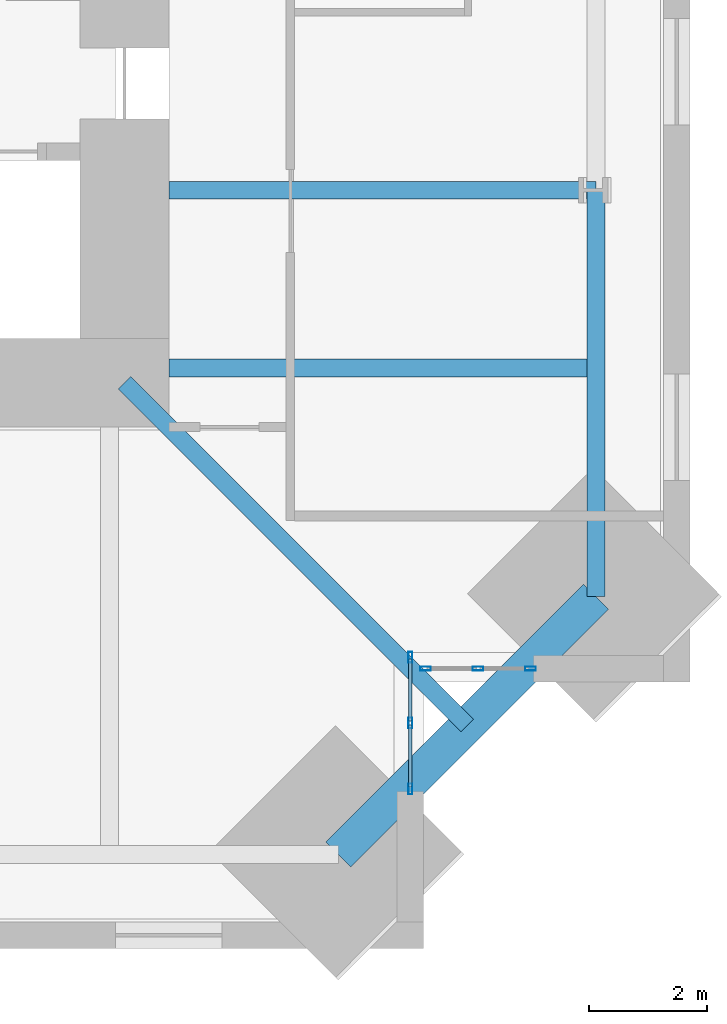
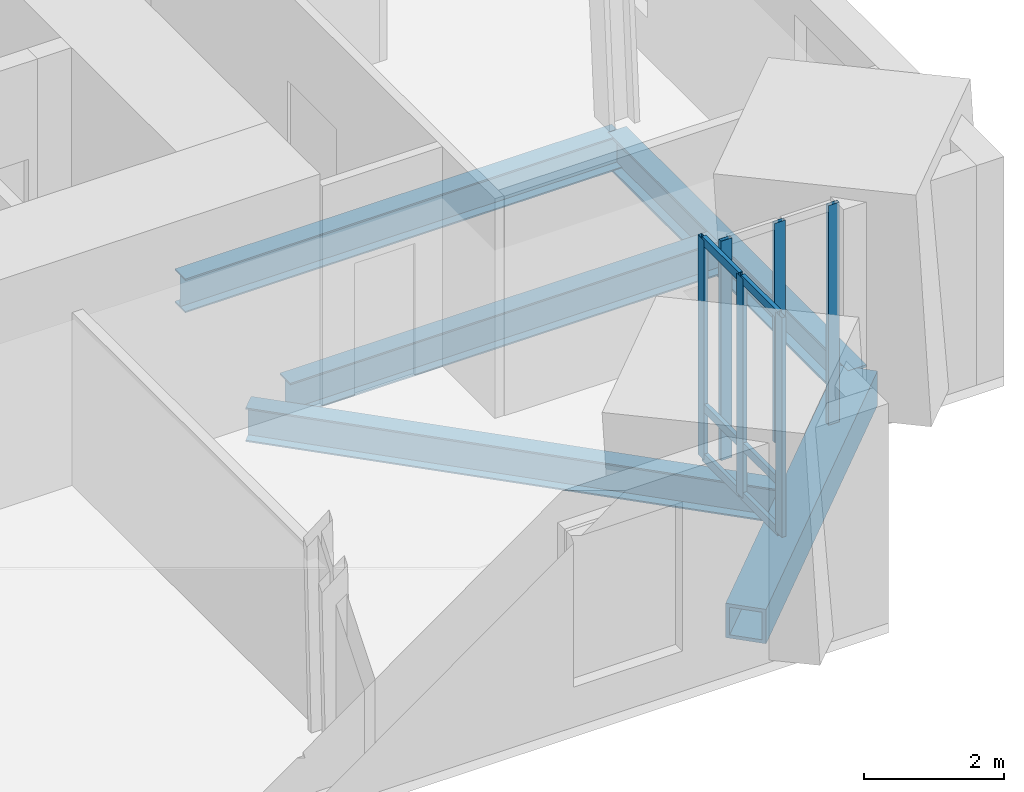
# One storey, part 4 of 15: 12 members, 5 beams, 2 elements without a shape of their own.
"""IFC4 building model written with IfcOpenShell, lengths in metres."""

import ifcopenshell
import ifcopenshell.guid

model = None  # the IFC model being written
_history = None  # IfcOwnerHistory: only IFC2X3 demands one
_inside = {}  # id of a spatial element -> (the spatial element, [elements in it])
_under = {}  # id of a project, library or spatial element -> (it, [spatial elements below it])
_declared = {}  # id of a project -> (the project, [libraries it declares])
_typed = {}  # id of a type object -> (the type object, [elements of that type])
_made_of = {}  # id of a material, layer set ... -> (it, [elements and type objects made of it])


def new_model(schema):
    """Start an empty IFC model of exactly this schema.

    Asked for "IFC4X3", IfcOpenShell would pick the latest addendum, in which some entities
    have other attributes; the version numbers below select the first issue.
    IFC2X3 requires an IfcOwnerHistory on every rooted entity: one is made here for all.
    """
    global model, _history
    if schema == "IFC4X3":
        model = ifcopenshell.file(schema_version=(4, 3, 0, 0))
    else:
        model = ifcopenshell.file(schema=schema)
    _inside.clear()
    _under.clear()
    _declared.clear()
    _typed.clear()
    _made_of.clear()
    _history = None
    if model.schema == "IFC2X3":
        org = make("IfcOrganization", Name="unknown")
        user = make(
            "IfcPersonAndOrganization",
            ThePerson=make("IfcPerson", FamilyName="unknown"),
            TheOrganization=org,
        )
        app = make(
            "IfcApplication",
            ApplicationDeveloper=org,
            Version="unknown",
            ApplicationFullName="unknown",
            ApplicationIdentifier="unknown",
        )
        _history = make(
            "IfcOwnerHistory",
            OwningUser=user,
            OwningApplication=app,
            ChangeAction="ADDED",
            CreationDate=0,
        )
    return model


def make(cls, **values):
    """One entity of the class cls with the attributes given. An attribute that is None is left unset."""
    return model.create_entity(
        cls, **{name: value for name, value in values.items() if value is not None}
    )


def rooted(cls, **values):
    """An entity with a GlobalId (a new one), such as an element, a storey or a relation."""
    return make(cls, GlobalId=ifcopenshell.guid.new(), OwnerHistory=_history, **values)


def si_unit(unit_type, name, prefix=None):
    """IfcSIUnit, for example si_unit("LENGTHUNIT", "METRE", prefix="MILLI")."""
    return make("IfcSIUnit", UnitType=unit_type, Prefix=prefix, Name=name)


def assignment(units):
    """IfcUnitAssignment: the units of a project."""
    return None if units is None else make("IfcUnitAssignment", Units=units)


def point(xyz):
    """IfcCartesianPoint."""
    return None if xyz is None else make("IfcCartesianPoint", Coordinates=xyz)


def direction(xyz):
    """IfcDirection."""
    return None if xyz is None else make("IfcDirection", DirectionRatios=xyz)


def frame(location, z_axis=None, x_axis=None):
    """IfcAxis2Placement3D, a coordinate frame: its origin and axes. An axis left out is left unset."""
    return make(
        "IfcAxis2Placement3D",
        Location=point(location),
        Axis=direction(z_axis),
        RefDirection=direction(x_axis),
    )


def frame_2d(location, x_axis=None):
    """IfcAxis2Placement2D, a coordinate frame in the plane: its origin and x axis."""
    return make(
        "IfcAxis2Placement2D", Location=point(location), RefDirection=direction(x_axis)
    )


def origin():
    """The frame at (0, 0, 0) with its axes left unset."""
    return frame((0.0, 0.0, 0.0))


def origin_2d():
    """The frame at (0, 0) in the plane with its x axis left unset."""
    return frame_2d((0.0, 0.0))


def place(relative_to, where):
    """IfcLocalPlacement: puts the frame where relative to a parent placement (None: the world)."""
    return make(
        "IfcLocalPlacement", PlacementRelTo=relative_to, RelativePlacement=where
    )


def context(
    kind, dimensions, precision=None, world=None, true_north=None, identifier=None
):
    """IfcGeometricRepresentationContext, for example the 3D "Model" context."""
    return make(
        "IfcGeometricRepresentationContext",
        ContextIdentifier=identifier,
        ContextType=kind,
        CoordinateSpaceDimension=dimensions,
        Precision=precision,
        WorldCoordinateSystem=world,
        TrueNorth=true_north,
    )


def subcontext(parent, identifier, kind, view, scale=None):
    """IfcGeometricRepresentationSubContext, for example "Body" below "Model"."""
    return make(
        "IfcGeometricRepresentationSubContext",
        ContextIdentifier=identifier,
        ContextType=kind,
        ParentContext=parent,
        TargetScale=scale,
        TargetView=view,
    )


def project(units=None, contexts=None):
    """IfcProject with its units and contexts."""
    return rooted(
        "IfcProject",
        Name="project",
        RepresentationContexts=contexts,
        UnitsInContext=assignment(units),
    )


def spatial(cls, under=None, at=None, **own):
    """A site, building, storey or space (cls), placed at a placement, below another one or the project."""
    s = rooted(cls, ObjectPlacement=at, **own)
    if under is not None:
        _under.setdefault(under.id(), (under, []))[1].append(s)
    return s


def profile(cls, at=None, kind="AREA", **sizes):
    """A parametric profile (cls). Its sizes go by their IFC names, for example OverallWidth=200.0."""
    return make(cls, ProfileType=kind, Position=at, **sizes)


def hollow_rectangle(**sizes):
    """IfcRectangleHollowProfileDef."""
    return profile("IfcRectangleHollowProfileDef", **sizes)


def i_section(**sizes):
    """IfcIShapeProfileDef."""
    return profile("IfcIShapeProfileDef", **sizes)


def extrude(swept, where, along, depth):
    """IfcExtrudedAreaSolid: the profile swept, set in the frame where, extruded along a direction by depth."""
    return make(
        "IfcExtrudedAreaSolid",
        SweptArea=swept,
        Position=where,
        ExtrudedDirection=direction(along),
        Depth=depth,
    )


def shape(context_of_items, identifier, shape_type, items):
    """IfcShapeRepresentation: the items that make up one representation, for example the "Body"."""
    return make(
        "IfcShapeRepresentation",
        ContextOfItems=context_of_items,
        RepresentationIdentifier=identifier,
        RepresentationType=shape_type,
        Items=items,
    )


def material(Name=None, Category=None):
    """IfcMaterial."""
    return make("IfcMaterial", Name=Name, Category=Category)


def material_profile(
    of_material, cross_section, Name=None, Category=None, Priority=None
):
    """IfcMaterialProfile: a cross section and its material."""
    return make(
        "IfcMaterialProfile",
        Name=Name,
        Material=of_material,
        Profile=cross_section,
        Priority=Priority,
        Category=Category,
    )


def profile_set(profiles, Name=None, composite=None):
    """IfcMaterialProfileSet."""
    return make(
        "IfcMaterialProfileSet",
        Name=Name,
        MaterialProfiles=profiles,
        CompositeProfile=composite,
    )


def made_of(thing, what):
    """Note that an element or type object is made of a material, layer set ...; save() writes the relation."""
    if what is not None:
        _made_of.setdefault(what.id(), (what, []))[1].append(thing)
    return thing


def type_object(cls, material=None, **own):
    """A type object (cls), such as IfcWallType, which elements share."""
    return made_of(rooted(cls, **own), material)


def element(
    cls,
    number,
    at=None,
    inside=None,
    cuts=None,
    type_object=None,
    material=None,
    context=None,
    identifier="Body",
    shape_type=None,
    held_by="IfcProductDefinitionShape",
    body=None,
    shapes=None,
    **own,
):
    """One element of the class cls, such as IfcWall. Its Tag is "e" and its number.

    at: its placement. inside: the storey or other place that contains it. cuts: it is an
    opening in that element (IfcRelVoidsElement). A single representation is given by context,
    identifier, shape_type and body (its items); several are given by shapes. held_by: the class
    of the entity that holds the representations. save() writes the other relations.
    """
    e = rooted(cls, Tag="e%d" % number, ObjectPlacement=at, **own)
    if body is not None:
        shapes = [shape(context, identifier, shape_type, body)]
    if shapes is not None:
        e.Representation = make(held_by, Representations=shapes)
    if inside is not None:
        _inside.setdefault(inside.id(), (inside, []))[1].append(e)
    if cuts is not None:
        rooted(
            "IfcRelVoidsElement", RelatingBuildingElement=cuts, RelatedOpeningElement=e
        )
    if type_object is not None:
        _typed.setdefault(type_object.id(), (type_object, []))[1].append(e)
    return made_of(e, material)


def aggregate(whole, parts):
    """IfcRelAggregates: a whole, such as a stair, and the parts it consists of."""
    return rooted("IfcRelAggregates", RelatingObject=whole, RelatedObjects=parts)


def save(model, path):
    """Write the relations noted so far, then the file.

    IfcRelAggregates (storeys below a building ...), IfcRelContainedInSpatialStructure (elements
    in a storey), IfcRelDefinesByType, IfcRelAssociatesMaterial and IfcRelDeclares: one each for
    every whole, place, type object, material and project.
    """
    for whole, parts in _under.values():
        aggregate(whole, parts)
    for where, things in _inside.values():
        rooted(
            "IfcRelContainedInSpatialStructure",
            RelatedElements=things,
            RelatingStructure=where,
        )
    for kind, things in _typed.values():
        rooted("IfcRelDefinesByType", RelatedObjects=things, RelatingType=kind)
    for what, things in _made_of.values():
        rooted("IfcRelAssociatesMaterial", RelatedObjects=things, RelatingMaterial=what)
    for by, libraries in _declared.values():
        rooted("IfcRelDeclares", RelatingContext=by, RelatedDefinitions=libraries)
    model.write(path)


model = new_model("IFC4")

# Units and contexts
model_context = context("Model", 3, precision=1e-05, world=origin(), true_north=direction((0.0, 1.0)))
body_context = subcontext(model_context, "Body", "Model", "MODEL_VIEW")
ifc_project = project(units=[si_unit("LENGTHUNIT", "METRE"), si_unit("AREAUNIT", "SQUARE_METRE"), si_unit("VOLUMEUNIT", "CUBIC_METRE"), si_unit("PLANEANGLEUNIT", "RADIAN"), si_unit("MASSUNIT", "GRAM", prefix="KILO")], contexts=[model_context])

# Site, building, storey
site_placement = place(None, origin())
site = spatial("IfcSite", under=ifc_project, at=site_placement, CompositionType="ELEMENT")
building_placement = place(site_placement, origin())
building = spatial("IfcBuilding", under=site, at=building_placement, Name="Peilmerk Tower", CompositionType="ELEMENT")
storey_placement = place(building_placement, frame((0.0, 0.0, 289.800048828125)))
storey = spatial("IfcBuildingStorey", under=building, at=storey_placement, Name="L65", CompositionType="ELEMENT", Elevation=289.800048828125)

# Beams
ifc_material_1 = material(Name="Steel S460", Category="steel")
ifc_material_profile_1 = material_profile(ifc_material_1, hollow_rectangle(XDim=0.60009765625, YDim=0.60009765625, WallThickness=0.06005859375, at=origin_2d()), Name="BOX 600x600x60")
ifc_profile_set_1 = profile_set([ifc_material_profile_1], Name="Steel S460")
beam_type_1 = type_object("IfcBeamType", Name="B20 BOX 600x600x60 notch beam", PredefinedType="SPANDREL", material=ifc_profile_set_1)
beam_1_placement = place(storey_placement, frame((19.211181640625, -14.861328125, -0.469970703125), z_axis=(-0.707106781187, -0.707106781187, 0.0), x_axis=(0.707106781187, -0.707106781187, 0.0)))
element("IfcBeam", 1, at=beam_1_placement, inside=storey, type_object=beam_type_1, Name="Notch beam L65", PredefinedType="SPANDREL", context=body_context, shape_type="SweptSolid", body=[
    extrude(hollow_rectangle(XDim=0.60009765625, YDim=0.60009765625, WallThickness=0.06005859375, at=origin_2d()), origin(), (0.0, 0.0, 1.0), 6.151611328125),
])
ifc_material_2 = material(Name="Steel S355", Category="steel")
ifc_material_profile_2 = material_profile(ifc_material_2, i_section(OverallWidth=0.300048828125, OverallDepth=0.590087890625, WebThickness=0.012939453125, FlangeThickness=0.02490234375, at=origin_2d()), Name="HEA 600")
ifc_profile_set_2 = profile_set([ifc_material_profile_2], Name="Steel S355")
beam_type_2 = type_object("IfcBeamType", Name="B27 HEA 600 floor beam", PredefinedType="BEAM", material=ifc_profile_set_2)
for number, where, z_axis, x_axis, name in (
    (2, (12.0, -11.0, -0.465087890625), (1.0, 0.0, 0.0), (0.0, 1.0, 0.0), "Floor beam L65"),
    (3, (12.0, -8.0, -0.465087890625), (1.0, 0.0, 0.0), (0.0, 1.0, 0.0), "Floor beam L65"),
):
    element("IfcBeam", number, at=place(storey_placement, frame(where, z_axis=z_axis, x_axis=x_axis)), inside=storey, type_object=beam_type_2, Name=name, PredefinedType="BEAM", context=body_context, shape_type="SweptSolid", body=[
        extrude(i_section(OverallWidth=0.300048828125, OverallDepth=0.590087890625, WebThickness=0.012939453125, FlangeThickness=0.02490234375, at=origin_2d()), origin(), (0.0, 0.0, 1.0), 7.211181640625),
    ])
beam_2_placement = place(storey_placement, frame((11.25, -11.25, -0.465087890625), z_axis=(0.707106781187, -0.707106781187, 0.0), x_axis=(0.707106781187, 0.707106781187, 0.0)))
element("IfcBeam", 4, at=beam_2_placement, inside=storey, type_object=beam_type_2, Name="Corner girder L65", PredefinedType="BEAM", context=body_context, shape_type="SweptSolid", body=[
    extrude(i_section(OverallWidth=0.300048828125, OverallDepth=0.590087890625, WebThickness=0.012939453125, FlangeThickness=0.02490234375, at=origin_2d()), origin(), (0.0, 0.0, 1.0), 8.18310546875),
])
ifc_material_profile_3 = material_profile(ifc_material_2, i_section(OverallWidth=0.304931640625, OverallDepth=0.6201171875, WebThickness=0.02099609375, FlangeThickness=0.0400390625, at=origin_2d()), Name="HEM 600")
ifc_profile_set_3 = profile_set([ifc_material_profile_3], Name="Steel S355")
beam_type_3 = type_object("IfcBeamType", Name="B31 HEM 600 edge beam", PredefinedType="SPANDREL", material=ifc_profile_set_3)
beam_3_placement = place(storey_placement, frame((19.211181640625, -14.861328125, -0.47998046875), z_axis=(0.0, 1.0, 0.0), x_axis=(-1.0, 0.0, 0.0)))
element("IfcBeam", 5, at=beam_3_placement, inside=storey, type_object=beam_type_3, Name="Edge beam L65", PredefinedType="SPANDREL", context=body_context, shape_type="SweptSolid", body=[
    extrude(i_section(OverallWidth=0.304931640625, OverallDepth=0.6201171875, WebThickness=0.02099609375, FlangeThickness=0.0400390625, at=origin_2d()), origin(), (0.0, 0.0, 1.0), 6.861328125),
])

# Curtain wall, members
ifc_material_3 = material(Name="Aluminium stick curtain wall", Category="aluminium")
curtain_wall_type = type_object("IfcCurtainWallType", Name="CW4 stick curtain wall, 2250 module", PredefinedType="NOTDEFINED", material=ifc_material_3)
curtain_wall_1_placement = place(storey_placement, origin())
curtain_wall_1 = element("IfcCurtainWall", 6, at=curtain_wall_1_placement, inside=storey, type_object=curtain_wall_type, Name="Curtain wall CW4 SEA L65", PredefinedType="NOTDEFINED")
ifc_material_4 = material(Name="Aluminium EN AW-6063 T6", Category="aluminium")
ifc_material_profile_4 = material_profile(ifc_material_4, hollow_rectangle(XDim=0.06494140625, YDim=0.179931640625, WallThickness=0.0029296875, at=origin_2d()), Name="AL 180x65x3")
ifc_profile_set_4 = profile_set([ifc_material_profile_4], Name="Aluminium EN AW-6063 T6")
member_type_1 = type_object("IfcMemberType", Name="CW4-M AL 180x65x3 mullion", PredefinedType="MULLION", material=ifc_profile_set_4)
member_1_placement = place(storey_placement, frame((16.074951171875, -15.882568359375, 0.0), z_axis=(0.0, 0.0, 1.0), x_axis=(1.0, 0.0, 0.0)))
member_1 = element("IfcMember", 7, at=member_1_placement, type_object=member_type_1, Name="CW4 mullion 1", PredefinedType="MULLION", context=body_context, shape_type="SweptSolid", body=[
    extrude(hollow_rectangle(XDim=0.06494140625, YDim=0.179931640625, WallThickness=0.0029296875, at=origin_2d()), origin(), (0.0, 0.0, 1.0), 3.829833984375),
])
member_2_placement = place(storey_placement, frame((16.074951171875, -16.994384765625, 0.0), z_axis=(0.0, 0.0, 1.0), x_axis=(1.0, 0.0, 0.0)))
member_2 = element("IfcMember", 8, at=member_2_placement, type_object=member_type_1, Name="CW4 mullion 2", PredefinedType="MULLION", context=body_context, shape_type="SweptSolid", body=[
    extrude(hollow_rectangle(XDim=0.06494140625, YDim=0.179931640625, WallThickness=0.0029296875, at=origin_2d()), origin(), (0.0, 0.0, 1.0), 3.829833984375),
])
member_3_placement = place(storey_placement, frame((16.074951171875, -18.106201171875, 0.0), z_axis=(0.0, 0.0, 1.0), x_axis=(1.0, 0.0, 0.0)))
member_3 = element("IfcMember", 9, at=member_3_placement, type_object=member_type_1, Name="CW4 mullion 3", PredefinedType="MULLION", context=body_context, shape_type="SweptSolid", body=[
    extrude(hollow_rectangle(XDim=0.06494140625, YDim=0.179931640625, WallThickness=0.0029296875, at=origin_2d()), origin(), (0.0, 0.0, 1.0), 3.829833984375),
])

curtain_wall_2_placement = place(storey_placement, origin())
curtain_wall_2 = element("IfcCurtainWall", 10, at=curtain_wall_2_placement, inside=storey, type_object=curtain_wall_type, Name="Curtain wall CW4 SEB L65", PredefinedType="NOTDEFINED")
member_4_placement = place(storey_placement, frame((16.33251953125, -16.074951171875, 0.0), z_axis=(0.0, 0.0, 1.0), x_axis=(0.0, 1.0, 0.0)))
member_4 = element("IfcMember", 11, at=member_4_placement, type_object=member_type_1, Name="CW4 mullion 1", PredefinedType="MULLION", context=body_context, shape_type="SweptSolid", body=[
    extrude(hollow_rectangle(XDim=0.06494140625, YDim=0.179931640625, WallThickness=0.0029296875, at=origin_2d()), origin(), (0.0, 0.0, 1.0), 3.829833984375),
])
member_5_placement = place(storey_placement, frame((17.21923828125, -16.074951171875, 0.0), z_axis=(0.0, 0.0, 1.0), x_axis=(0.0, 1.0, 0.0)))
member_5 = element("IfcMember", 12, at=member_5_placement, type_object=member_type_1, Name="CW4 mullion 2", PredefinedType="MULLION", context=body_context, shape_type="SweptSolid", body=[
    extrude(hollow_rectangle(XDim=0.06494140625, YDim=0.179931640625, WallThickness=0.0029296875, at=origin_2d()), origin(), (0.0, 0.0, 1.0), 3.829833984375),
])
member_6_placement = place(storey_placement, frame((18.106201171875, -16.074951171875, 0.0), z_axis=(0.0, 0.0, 1.0), x_axis=(0.0, 1.0, 0.0)))
member_6 = element("IfcMember", 13, at=member_6_placement, type_object=member_type_1, Name="CW4 mullion 3", PredefinedType="MULLION", context=body_context, shape_type="SweptSolid", body=[
    extrude(hollow_rectangle(XDim=0.06494140625, YDim=0.179931640625, WallThickness=0.0029296875, at=origin_2d()), origin(), (0.0, 0.0, 1.0), 3.829833984375),
])
aggregate(curtain_wall_2, [member_4, member_5, member_6])

# Member
ifc_material_profile_5 = material_profile(ifc_material_4, hollow_rectangle(XDim=0.06494140625, YDim=0.14990234375, WallThickness=0.0029296875, at=origin_2d()), Name="AL 150x65x3")
ifc_profile_set_5 = profile_set([ifc_material_profile_5], Name="Aluminium EN AW-6063 T6")
member_type_2 = type_object("IfcMemberType", Name="CW4-T AL 150x65x3 transom", PredefinedType="USERDEFINED", material=ifc_profile_set_5)
member_7_placement = place(storey_placement, frame((16.074951171875, -15.9150390625, 0.032470703125), z_axis=(0.0, -1.0, 0.0), x_axis=(1.0, 0.0, 0.0)))
member_7 = element("IfcMember", 14, at=member_7_placement, type_object=member_type_2, Name="CW4 transom 1.1", ObjectType="TRANSOM", PredefinedType="USERDEFINED", context=body_context, shape_type="SweptSolid", body=[
    extrude(hollow_rectangle(XDim=0.06494140625, YDim=0.14990234375, WallThickness=0.0029296875, at=origin_2d()), origin(), (0.0, 0.0, 1.0), 1.046875),
])

member_8_placement = place(storey_placement, frame((16.074951171875, -15.9150390625, 0.89990234375), z_axis=(0.0, -1.0, 0.0), x_axis=(1.0, 0.0, 0.0)))
member_8 = element("IfcMember", 15, at=member_8_placement, type_object=member_type_2, Name="CW4 transom 1.2", ObjectType="TRANSOM", PredefinedType="USERDEFINED", context=body_context, shape_type="SweptSolid", body=[
    extrude(hollow_rectangle(XDim=0.06494140625, YDim=0.14990234375, WallThickness=0.0029296875, at=origin_2d()), origin(), (0.0, 0.0, 1.0), 1.046875),
])

member_9_placement = place(storey_placement, frame((16.074951171875, -15.9150390625, 3.79736328125), z_axis=(0.0, -1.0, 0.0), x_axis=(1.0, 0.0, 0.0)))
member_9 = element("IfcMember", 16, at=member_9_placement, type_object=member_type_2, Name="CW4 transom 1.3", ObjectType="TRANSOM", PredefinedType="USERDEFINED", context=body_context, shape_type="SweptSolid", body=[
    extrude(hollow_rectangle(XDim=0.06494140625, YDim=0.14990234375, WallThickness=0.0029296875, at=origin_2d()), origin(), (0.0, 0.0, 1.0), 1.046875),
])

member_10_placement = place(storey_placement, frame((16.074951171875, -17.02685546875, 0.032470703125), z_axis=(0.0, -1.0, 0.0), x_axis=(1.0, 0.0, 0.0)))
member_10 = element("IfcMember", 17, at=member_10_placement, type_object=member_type_2, Name="CW4 transom 2.1", ObjectType="TRANSOM", PredefinedType="USERDEFINED", context=body_context, shape_type="SweptSolid", body=[
    extrude(hollow_rectangle(XDim=0.06494140625, YDim=0.14990234375, WallThickness=0.0029296875, at=origin_2d()), origin(), (0.0, 0.0, 1.0), 1.046875),
])

member_11_placement = place(storey_placement, frame((16.074951171875, -17.02685546875, 0.89990234375), z_axis=(0.0, -1.0, 0.0), x_axis=(1.0, 0.0, 0.0)))
member_11 = element("IfcMember", 18, at=member_11_placement, type_object=member_type_2, Name="CW4 transom 2.2", ObjectType="TRANSOM", PredefinedType="USERDEFINED", context=body_context, shape_type="SweptSolid", body=[
    extrude(hollow_rectangle(XDim=0.06494140625, YDim=0.14990234375, WallThickness=0.0029296875, at=origin_2d()), origin(), (0.0, 0.0, 1.0), 1.046875),
])

member_12_placement = place(storey_placement, frame((16.074951171875, -17.02685546875, 3.79736328125), z_axis=(0.0, -1.0, 0.0), x_axis=(1.0, 0.0, 0.0)))
member_12 = element("IfcMember", 19, at=member_12_placement, type_object=member_type_2, Name="CW4 transom 2.3", ObjectType="TRANSOM", PredefinedType="USERDEFINED", context=body_context, shape_type="SweptSolid", body=[
    extrude(hollow_rectangle(XDim=0.06494140625, YDim=0.14990234375, WallThickness=0.0029296875, at=origin_2d()), origin(), (0.0, 0.0, 1.0), 1.046875),
])

aggregate(curtain_wall_1, [member_1, member_2, member_3, member_7, member_8, member_9, member_10, member_11, member_12])

save(model, "model.ifc")
